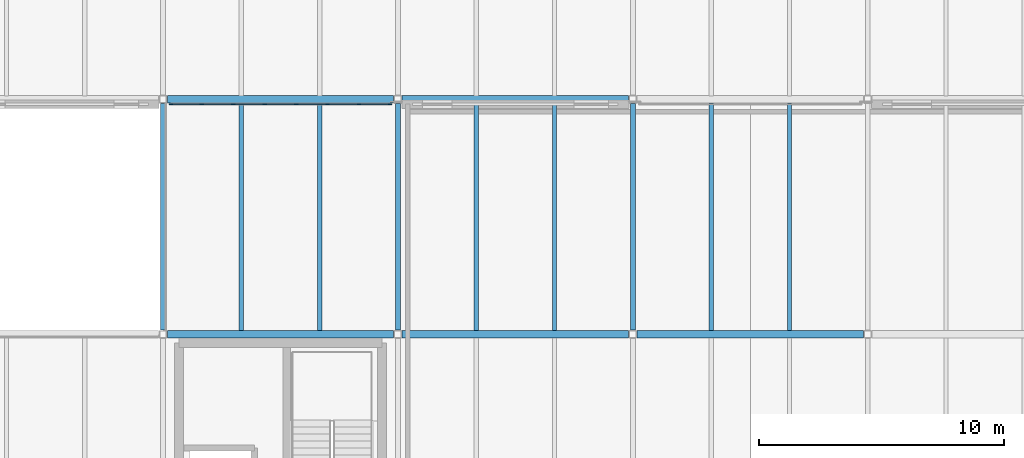
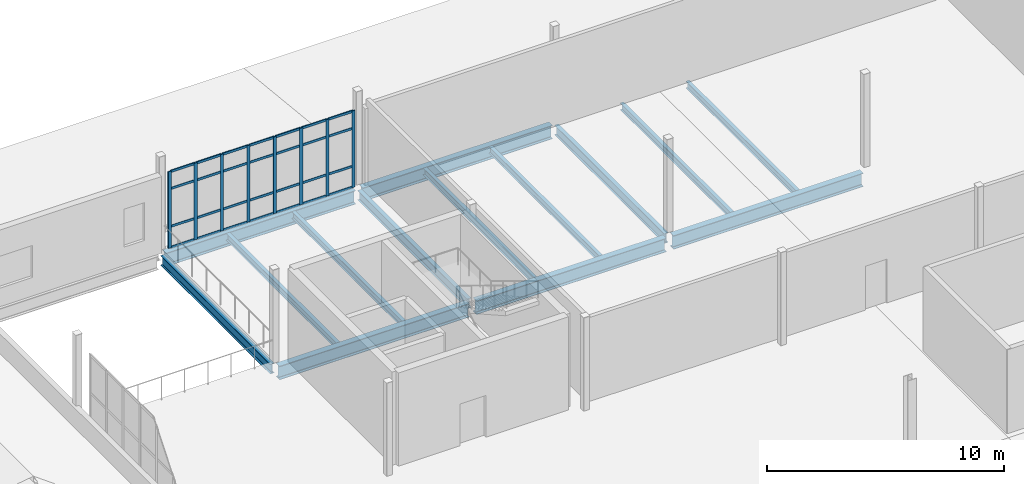
# One storey, part 50 of 112: 36 members, 14 beams, 1 element without a shape of its own.
"""IFC4 building model written with IfcOpenShell, lengths in metres."""

from ifc_helpers import new_model, si_unit, direction, frame, origin, origin_2d, place, context, subcontext, project, spatial, rectangle, i_section, extrude, material, layer, layer_set, material_profile, profile_set, type_object, element, aggregate, save


model = new_model("IFC4")

# Units and contexts
model_context = context("Model", 3, precision=1e-05, world=origin(), true_north=direction((0.0, 1.0)))
body_context = subcontext(model_context, "Body", "Model", "MODEL_VIEW")
ifc_project = project(units=[si_unit("LENGTHUNIT", "METRE"), si_unit("AREAUNIT", "SQUARE_METRE"), si_unit("VOLUMEUNIT", "CUBIC_METRE"), si_unit("PLANEANGLEUNIT", "RADIAN"), si_unit("MASSUNIT", "GRAM", prefix="KILO")], contexts=[model_context])

# Site, building, storey
site_placement = place(None, origin())
site = spatial("IfcSite", under=ifc_project, at=site_placement, CompositionType="ELEMENT")
building_placement = place(site_placement, origin())
building = spatial("IfcBuilding", under=site, at=building_placement, Name="Yeouljin Market Hall", CompositionType="ELEMENT")
storey_placement = place(building_placement, frame((0.0, 0.0, 6.0)))
storey = spatial("IfcBuildingStorey", under=building, at=storey_placement, Name="L01", CompositionType="ELEMENT", Elevation=6.0)

# Beams
ifc_material_1 = material(Name="Steel SM355", Category="steel")
ifc_material_profile_1 = material_profile(ifc_material_1, i_section(OverallWidth=0.199951171875, OverallDepth=0.5, WebThickness=0.010009765625, FlangeThickness=0.01611328125, FilletRadius=0.02001953125, at=origin_2d()), Name="H-500x200x10x16")
ifc_profile_set_1 = profile_set([ifc_material_profile_1], Name="Steel SM355")
beam_type_1 = type_object("IfcBeamType", Name="Beam_H-500x200x10x16", PredefinedType="BEAM", material=ifc_profile_set_1)
for number, where, z_axis, x_axis, name in (
    (1, (64.199951171875, 98.574951171875, -0.510009765625), (0.0, 1.0, 0.0), (-1.0, 0.0, 0.0), "Primary beam BM-L01-Y172"),
    (2, (73.800048828125, 98.574951171875, -0.510009765625), (0.0, 1.0, 0.0), (-1.0, 0.0, 0.0), "Primary beam BM-L01-Y175"),
    (3, (83.39990234375, 98.574951171875, -0.510009765625), (0.0, 1.0, 0.0), (-1.0, 0.0, 0.0), "Primary beam BM-L01-Y180"),
):
    element("IfcBeam", number, at=place(storey_placement, frame(where, z_axis=z_axis, x_axis=x_axis)), inside=storey, type_object=beam_type_1, Name=name, PredefinedType="BEAM", context=body_context, shape_type="SweptSolid", body=[
        extrude(i_section(OverallWidth=0.199951171875, OverallDepth=0.5, WebThickness=0.010009765625, FlangeThickness=0.01611328125, FilletRadius=0.02001953125, at=origin_2d()), origin(), (0.0, 0.0, 1.0), 9.25),
    ])

# Curtain wall, members
ifc_material_2 = material(Name="Thermally Broken Aluminium", Category="aluminium")
ifc_layer = layer(ifc_material_2, 0.14990234375)
ifc_layer_set = layer_set([ifc_layer], Name="Thermally Broken Aluminium")
curtain_wall_type = type_object("IfcCurtainWallType", Name="CW_AcademyRibbon_System", PredefinedType="USERDEFINED", material=ifc_layer_set)
curtain_wall_placement = place(storey_placement, origin())
curtain_wall = element("IfcCurtainWall", 4, at=curtain_wall_placement, inside=storey, type_object=curtain_wall_type, Name="Curtain wall CW-L01-W18", ObjectType="CURTAIN WALL", PredefinedType="USERDEFINED")
ifc_material_3 = material(Name="Thermally Broken Aluminium", Category="aluminium")
ifc_material_profile_2 = material_profile(ifc_material_3, rectangle(XDim=0.048095703125, YDim=0.14990234375, at=origin_2d()), Name="CW-MULL-48x150")
ifc_profile_set_2 = profile_set([ifc_material_profile_2], Name="Thermally Broken Aluminium")
member_type_1 = type_object("IfcMemberType", Name="CWMullion_48x150", PredefinedType="MULLION", material=ifc_profile_set_2)
member_1_placement = place(storey_placement, frame((64.52392578125, 107.800048828125, 0.0), z_axis=(0.0, 0.0, 1.0), x_axis=(0.0, 1.0, 0.0)))
member_1 = element("IfcMember", 5, at=member_1_placement, type_object=member_type_1, Name="CW-05 mullion 1", PredefinedType="MULLION", context=body_context, shape_type="SweptSolid", body=[
    extrude(rectangle(XDim=0.048095703125, YDim=0.14990234375, at=origin_2d()), origin(), (0.0, 0.0, 1.0), 3.949951171875),
])
member_2_placement = place(storey_placement, frame((65.78564453125, 107.800048828125, 0.0), z_axis=(0.0, 0.0, 1.0), x_axis=(0.0, 1.0, 0.0)))
member_2 = element("IfcMember", 6, at=member_2_placement, type_object=member_type_1, Name="CW-05 mullion 2", PredefinedType="MULLION", context=body_context, shape_type="SweptSolid", body=[
    extrude(rectangle(XDim=0.048095703125, YDim=0.14990234375, at=origin_2d()), origin(), (0.0, 0.0, 1.0), 3.949951171875),
])
member_3_placement = place(storey_placement, frame((67.071533203125, 107.800048828125, 0.0), z_axis=(0.0, 0.0, 1.0), x_axis=(0.0, 1.0, 0.0)))
member_3 = element("IfcMember", 7, at=member_3_placement, type_object=member_type_1, Name="CW-05 mullion 3", PredefinedType="MULLION", context=body_context, shape_type="SweptSolid", body=[
    extrude(rectangle(XDim=0.048095703125, YDim=0.14990234375, at=origin_2d()), origin(), (0.0, 0.0, 1.0), 3.949951171875),
])
member_4_placement = place(storey_placement, frame((68.357177734375, 107.800048828125, 0.0), z_axis=(0.0, 0.0, 1.0), x_axis=(0.0, 1.0, 0.0)))
member_4 = element("IfcMember", 8, at=member_4_placement, type_object=member_type_1, Name="CW-05 mullion 4", PredefinedType="MULLION", context=body_context, shape_type="SweptSolid", body=[
    extrude(rectangle(XDim=0.048095703125, YDim=0.14990234375, at=origin_2d()), origin(), (0.0, 0.0, 1.0), 3.949951171875),
])
member_5_placement = place(storey_placement, frame((69.642822265625, 107.800048828125, 0.0), z_axis=(0.0, 0.0, 1.0), x_axis=(0.0, 1.0, 0.0)))
member_5 = element("IfcMember", 9, at=member_5_placement, type_object=member_type_1, Name="CW-05 mullion 5", PredefinedType="MULLION", context=body_context, shape_type="SweptSolid", body=[
    extrude(rectangle(XDim=0.048095703125, YDim=0.14990234375, at=origin_2d()), origin(), (0.0, 0.0, 1.0), 3.949951171875),
])
member_6_placement = place(storey_placement, frame((70.928466796875, 107.800048828125, 0.0), z_axis=(0.0, 0.0, 1.0), x_axis=(0.0, 1.0, 0.0)))
member_6 = element("IfcMember", 10, at=member_6_placement, type_object=member_type_1, Name="CW-05 mullion 6", PredefinedType="MULLION", context=body_context, shape_type="SweptSolid", body=[
    extrude(rectangle(XDim=0.048095703125, YDim=0.14990234375, at=origin_2d()), origin(), (0.0, 0.0, 1.0), 3.949951171875),
])
member_7_placement = place(storey_placement, frame((72.21435546875, 107.800048828125, 0.0), z_axis=(0.0, 0.0, 1.0), x_axis=(0.0, 1.0, 0.0)))
member_7 = element("IfcMember", 11, at=member_7_placement, type_object=member_type_1, Name="CW-05 mullion 7", PredefinedType="MULLION", context=body_context, shape_type="SweptSolid", body=[
    extrude(rectangle(XDim=0.048095703125, YDim=0.14990234375, at=origin_2d()), origin(), (0.0, 0.0, 1.0), 3.949951171875),
])
member_8_placement = place(storey_placement, frame((73.47607421875, 107.800048828125, 0.0), z_axis=(0.0, 0.0, 1.0), x_axis=(0.0, 1.0, 0.0)))
member_8 = element("IfcMember", 12, at=member_8_placement, type_object=member_type_1, Name="CW-05 mullion 8", PredefinedType="MULLION", context=body_context, shape_type="SweptSolid", body=[
    extrude(rectangle(XDim=0.048095703125, YDim=0.14990234375, at=origin_2d()), origin(), (0.0, 0.0, 1.0), 3.949951171875),
])
ifc_material_4 = material(Name="Thermally Broken Aluminium", Category="aluminium")
ifc_material_profile_3 = material_profile(ifc_material_4, rectangle(XDim=0.048095703125, YDim=0.1201171875, at=origin_2d()), Name="CW-TRAN-48x120")
ifc_profile_set_3 = profile_set([ifc_material_profile_3], Name="Thermally Broken Aluminium")
member_type_2 = type_object("IfcMemberType", Name="CWTransom_48x120", PredefinedType="USERDEFINED", material=ifc_profile_set_3)
member_9_placement = place(storey_placement, frame((64.548095703125, 107.800048828125, 0.02392578125), z_axis=(1.0, 0.0, 0.0), x_axis=(0.0, 1.0, 0.0)))
member_9 = element("IfcMember", 13, at=member_9_placement, type_object=member_type_2, Name="CW-05 transom 1.1", ObjectType="TRANSOM", PredefinedType="USERDEFINED", context=body_context, shape_type="SweptSolid", body=[
    extrude(rectangle(XDim=0.048095703125, YDim=0.1201171875, at=origin_2d()), origin(), (0.0, 0.0, 1.0), 1.213623046875),
])
member_10_placement = place(storey_placement, frame((64.548095703125, 107.800048828125, 1.10009765625), z_axis=(1.0, 0.0, 0.0), x_axis=(0.0, 1.0, 0.0)))
member_10 = element("IfcMember", 14, at=member_10_placement, type_object=member_type_2, Name="CW-05 transom 1.2", ObjectType="TRANSOM", PredefinedType="USERDEFINED", context=body_context, shape_type="SweptSolid", body=[
    extrude(rectangle(XDim=0.048095703125, YDim=0.1201171875, at=origin_2d()), origin(), (0.0, 0.0, 1.0), 1.213623046875),
])
member_11_placement = place(storey_placement, frame((64.548095703125, 107.800048828125, 3.050048828125), z_axis=(1.0, 0.0, 0.0), x_axis=(0.0, 1.0, 0.0)))
member_11 = element("IfcMember", 15, at=member_11_placement, type_object=member_type_2, Name="CW-05 transom 1.3", ObjectType="TRANSOM", PredefinedType="USERDEFINED", context=body_context, shape_type="SweptSolid", body=[
    extrude(rectangle(XDim=0.048095703125, YDim=0.1201171875, at=origin_2d()), origin(), (0.0, 0.0, 1.0), 1.213623046875),
])
member_12_placement = place(storey_placement, frame((64.548095703125, 107.800048828125, 3.926025390625), z_axis=(1.0, 0.0, 0.0), x_axis=(0.0, 1.0, 0.0)))
member_12 = element("IfcMember", 16, at=member_12_placement, type_object=member_type_2, Name="CW-05 transom 1.4", ObjectType="TRANSOM", PredefinedType="USERDEFINED", context=body_context, shape_type="SweptSolid", body=[
    extrude(rectangle(XDim=0.048095703125, YDim=0.1201171875, at=origin_2d()), origin(), (0.0, 0.0, 1.0), 1.213623046875),
])
member_13_placement = place(storey_placement, frame((65.809814453125, 107.800048828125, 0.02392578125), z_axis=(1.0, 0.0, 0.0), x_axis=(0.0, 1.0, 0.0)))
member_13 = element("IfcMember", 17, at=member_13_placement, type_object=member_type_2, Name="CW-05 transom 2.1", ObjectType="TRANSOM", PredefinedType="USERDEFINED", context=body_context, shape_type="SweptSolid", body=[
    extrude(rectangle(XDim=0.048095703125, YDim=0.1201171875, at=origin_2d()), origin(), (0.0, 0.0, 1.0), 1.237548828125),
])
member_14_placement = place(storey_placement, frame((65.809814453125, 107.800048828125, 1.10009765625), z_axis=(1.0, 0.0, 0.0), x_axis=(0.0, 1.0, 0.0)))
member_14 = element("IfcMember", 18, at=member_14_placement, type_object=member_type_2, Name="CW-05 transom 2.2", ObjectType="TRANSOM", PredefinedType="USERDEFINED", context=body_context, shape_type="SweptSolid", body=[
    extrude(rectangle(XDim=0.048095703125, YDim=0.1201171875, at=origin_2d()), origin(), (0.0, 0.0, 1.0), 1.237548828125),
])
member_15_placement = place(storey_placement, frame((65.809814453125, 107.800048828125, 3.050048828125), z_axis=(1.0, 0.0, 0.0), x_axis=(0.0, 1.0, 0.0)))
member_15 = element("IfcMember", 19, at=member_15_placement, type_object=member_type_2, Name="CW-05 transom 2.3", ObjectType="TRANSOM", PredefinedType="USERDEFINED", context=body_context, shape_type="SweptSolid", body=[
    extrude(rectangle(XDim=0.048095703125, YDim=0.1201171875, at=origin_2d()), origin(), (0.0, 0.0, 1.0), 1.237548828125),
])
member_16_placement = place(storey_placement, frame((65.809814453125, 107.800048828125, 3.926025390625), z_axis=(1.0, 0.0, 0.0), x_axis=(0.0, 1.0, 0.0)))
member_16 = element("IfcMember", 20, at=member_16_placement, type_object=member_type_2, Name="CW-05 transom 2.4", ObjectType="TRANSOM", PredefinedType="USERDEFINED", context=body_context, shape_type="SweptSolid", body=[
    extrude(rectangle(XDim=0.048095703125, YDim=0.1201171875, at=origin_2d()), origin(), (0.0, 0.0, 1.0), 1.237548828125),
])
member_17_placement = place(storey_placement, frame((67.095458984375, 107.800048828125, 0.02392578125), z_axis=(1.0, 0.0, 0.0), x_axis=(0.0, 1.0, 0.0)))
member_17 = element("IfcMember", 21, at=member_17_placement, type_object=member_type_2, Name="CW-05 transom 3.1", ObjectType="TRANSOM", PredefinedType="USERDEFINED", context=body_context, shape_type="SweptSolid", body=[
    extrude(rectangle(XDim=0.048095703125, YDim=0.1201171875, at=origin_2d()), origin(), (0.0, 0.0, 1.0), 1.23779296875),
])
member_18_placement = place(storey_placement, frame((67.095458984375, 107.800048828125, 1.10009765625), z_axis=(1.0, 0.0, 0.0), x_axis=(0.0, 1.0, 0.0)))
member_18 = element("IfcMember", 22, at=member_18_placement, type_object=member_type_2, Name="CW-05 transom 3.2", ObjectType="TRANSOM", PredefinedType="USERDEFINED", context=body_context, shape_type="SweptSolid", body=[
    extrude(rectangle(XDim=0.048095703125, YDim=0.1201171875, at=origin_2d()), origin(), (0.0, 0.0, 1.0), 1.23779296875),
])
member_19_placement = place(storey_placement, frame((67.095458984375, 107.800048828125, 3.050048828125), z_axis=(1.0, 0.0, 0.0), x_axis=(0.0, 1.0, 0.0)))
member_19 = element("IfcMember", 23, at=member_19_placement, type_object=member_type_2, Name="CW-05 transom 3.3", ObjectType="TRANSOM", PredefinedType="USERDEFINED", context=body_context, shape_type="SweptSolid", body=[
    extrude(rectangle(XDim=0.048095703125, YDim=0.1201171875, at=origin_2d()), origin(), (0.0, 0.0, 1.0), 1.23779296875),
])
member_20_placement = place(storey_placement, frame((67.095458984375, 107.800048828125, 3.926025390625), z_axis=(1.0, 0.0, 0.0), x_axis=(0.0, 1.0, 0.0)))
member_20 = element("IfcMember", 24, at=member_20_placement, type_object=member_type_2, Name="CW-05 transom 3.4", ObjectType="TRANSOM", PredefinedType="USERDEFINED", context=body_context, shape_type="SweptSolid", body=[
    extrude(rectangle(XDim=0.048095703125, YDim=0.1201171875, at=origin_2d()), origin(), (0.0, 0.0, 1.0), 1.23779296875),
])
member_21_placement = place(storey_placement, frame((68.381103515625, 107.800048828125, 0.02392578125), z_axis=(1.0, 0.0, 0.0), x_axis=(0.0, 1.0, 0.0)))
member_21 = element("IfcMember", 25, at=member_21_placement, type_object=member_type_2, Name="CW-05 transom 4.1", ObjectType="TRANSOM", PredefinedType="USERDEFINED", context=body_context, shape_type="SweptSolid", body=[
    extrude(rectangle(XDim=0.048095703125, YDim=0.1201171875, at=origin_2d()), origin(), (0.0, 0.0, 1.0), 1.23779296875),
])
member_22_placement = place(storey_placement, frame((68.381103515625, 107.800048828125, 1.10009765625), z_axis=(1.0, 0.0, 0.0), x_axis=(0.0, 1.0, 0.0)))
member_22 = element("IfcMember", 26, at=member_22_placement, type_object=member_type_2, Name="CW-05 transom 4.2", ObjectType="TRANSOM", PredefinedType="USERDEFINED", context=body_context, shape_type="SweptSolid", body=[
    extrude(rectangle(XDim=0.048095703125, YDim=0.1201171875, at=origin_2d()), origin(), (0.0, 0.0, 1.0), 1.23779296875),
])
member_23_placement = place(storey_placement, frame((68.381103515625, 107.800048828125, 3.050048828125), z_axis=(1.0, 0.0, 0.0), x_axis=(0.0, 1.0, 0.0)))
member_23 = element("IfcMember", 27, at=member_23_placement, type_object=member_type_2, Name="CW-05 transom 4.3", ObjectType="TRANSOM", PredefinedType="USERDEFINED", context=body_context, shape_type="SweptSolid", body=[
    extrude(rectangle(XDim=0.048095703125, YDim=0.1201171875, at=origin_2d()), origin(), (0.0, 0.0, 1.0), 1.23779296875),
])
member_24_placement = place(storey_placement, frame((68.381103515625, 107.800048828125, 3.926025390625), z_axis=(1.0, 0.0, 0.0), x_axis=(0.0, 1.0, 0.0)))
member_24 = element("IfcMember", 28, at=member_24_placement, type_object=member_type_2, Name="CW-05 transom 4.4", ObjectType="TRANSOM", PredefinedType="USERDEFINED", context=body_context, shape_type="SweptSolid", body=[
    extrude(rectangle(XDim=0.048095703125, YDim=0.1201171875, at=origin_2d()), origin(), (0.0, 0.0, 1.0), 1.23779296875),
])
member_25_placement = place(storey_placement, frame((69.666748046875, 107.800048828125, 0.02392578125), z_axis=(1.0, 0.0, 0.0), x_axis=(0.0, 1.0, 0.0)))
member_25 = element("IfcMember", 29, at=member_25_placement, type_object=member_type_2, Name="CW-05 transom 5.1", ObjectType="TRANSOM", PredefinedType="USERDEFINED", context=body_context, shape_type="SweptSolid", body=[
    extrude(rectangle(XDim=0.048095703125, YDim=0.1201171875, at=origin_2d()), origin(), (0.0, 0.0, 1.0), 1.23779296875),
])
member_26_placement = place(storey_placement, frame((69.666748046875, 107.800048828125, 1.10009765625), z_axis=(1.0, 0.0, 0.0), x_axis=(0.0, 1.0, 0.0)))
member_26 = element("IfcMember", 30, at=member_26_placement, type_object=member_type_2, Name="CW-05 transom 5.2", ObjectType="TRANSOM", PredefinedType="USERDEFINED", context=body_context, shape_type="SweptSolid", body=[
    extrude(rectangle(XDim=0.048095703125, YDim=0.1201171875, at=origin_2d()), origin(), (0.0, 0.0, 1.0), 1.23779296875),
])
member_27_placement = place(storey_placement, frame((69.666748046875, 107.800048828125, 3.050048828125), z_axis=(1.0, 0.0, 0.0), x_axis=(0.0, 1.0, 0.0)))
member_27 = element("IfcMember", 31, at=member_27_placement, type_object=member_type_2, Name="CW-05 transom 5.3", ObjectType="TRANSOM", PredefinedType="USERDEFINED", context=body_context, shape_type="SweptSolid", body=[
    extrude(rectangle(XDim=0.048095703125, YDim=0.1201171875, at=origin_2d()), origin(), (0.0, 0.0, 1.0), 1.23779296875),
])
member_28_placement = place(storey_placement, frame((69.666748046875, 107.800048828125, 3.926025390625), z_axis=(1.0, 0.0, 0.0), x_axis=(0.0, 1.0, 0.0)))
member_28 = element("IfcMember", 32, at=member_28_placement, type_object=member_type_2, Name="CW-05 transom 5.4", ObjectType="TRANSOM", PredefinedType="USERDEFINED", context=body_context, shape_type="SweptSolid", body=[
    extrude(rectangle(XDim=0.048095703125, YDim=0.1201171875, at=origin_2d()), origin(), (0.0, 0.0, 1.0), 1.23779296875),
])
member_29_placement = place(storey_placement, frame((70.95263671875, 107.800048828125, 0.02392578125), z_axis=(1.0, 0.0, 0.0), x_axis=(0.0, 1.0, 0.0)))
member_29 = element("IfcMember", 33, at=member_29_placement, type_object=member_type_2, Name="CW-05 transom 6.1", ObjectType="TRANSOM", PredefinedType="USERDEFINED", context=body_context, shape_type="SweptSolid", body=[
    extrude(rectangle(XDim=0.048095703125, YDim=0.1201171875, at=origin_2d()), origin(), (0.0, 0.0, 1.0), 1.237548828125),
])
member_30_placement = place(storey_placement, frame((70.95263671875, 107.800048828125, 1.10009765625), z_axis=(1.0, 0.0, 0.0), x_axis=(0.0, 1.0, 0.0)))
member_30 = element("IfcMember", 34, at=member_30_placement, type_object=member_type_2, Name="CW-05 transom 6.2", ObjectType="TRANSOM", PredefinedType="USERDEFINED", context=body_context, shape_type="SweptSolid", body=[
    extrude(rectangle(XDim=0.048095703125, YDim=0.1201171875, at=origin_2d()), origin(), (0.0, 0.0, 1.0), 1.237548828125),
])
member_31_placement = place(storey_placement, frame((70.95263671875, 107.800048828125, 3.050048828125), z_axis=(1.0, 0.0, 0.0), x_axis=(0.0, 1.0, 0.0)))
member_31 = element("IfcMember", 35, at=member_31_placement, type_object=member_type_2, Name="CW-05 transom 6.3", ObjectType="TRANSOM", PredefinedType="USERDEFINED", context=body_context, shape_type="SweptSolid", body=[
    extrude(rectangle(XDim=0.048095703125, YDim=0.1201171875, at=origin_2d()), origin(), (0.0, 0.0, 1.0), 1.237548828125),
])
member_32_placement = place(storey_placement, frame((70.95263671875, 107.800048828125, 3.926025390625), z_axis=(1.0, 0.0, 0.0), x_axis=(0.0, 1.0, 0.0)))
member_32 = element("IfcMember", 36, at=member_32_placement, type_object=member_type_2, Name="CW-05 transom 6.4", ObjectType="TRANSOM", PredefinedType="USERDEFINED", context=body_context, shape_type="SweptSolid", body=[
    extrude(rectangle(XDim=0.048095703125, YDim=0.1201171875, at=origin_2d()), origin(), (0.0, 0.0, 1.0), 1.237548828125),
])
member_33_placement = place(storey_placement, frame((72.23828125, 107.800048828125, 0.02392578125), z_axis=(1.0, 0.0, 0.0), x_axis=(0.0, 1.0, 0.0)))
member_33 = element("IfcMember", 37, at=member_33_placement, type_object=member_type_2, Name="CW-05 transom 7.1", ObjectType="TRANSOM", PredefinedType="USERDEFINED", context=body_context, shape_type="SweptSolid", body=[
    extrude(rectangle(XDim=0.048095703125, YDim=0.1201171875, at=origin_2d()), origin(), (0.0, 0.0, 1.0), 1.213623046875),
])
member_34_placement = place(storey_placement, frame((72.23828125, 107.800048828125, 1.10009765625), z_axis=(1.0, 0.0, 0.0), x_axis=(0.0, 1.0, 0.0)))
member_34 = element("IfcMember", 38, at=member_34_placement, type_object=member_type_2, Name="CW-05 transom 7.2", ObjectType="TRANSOM", PredefinedType="USERDEFINED", context=body_context, shape_type="SweptSolid", body=[
    extrude(rectangle(XDim=0.048095703125, YDim=0.1201171875, at=origin_2d()), origin(), (0.0, 0.0, 1.0), 1.213623046875),
])
member_35_placement = place(storey_placement, frame((72.23828125, 107.800048828125, 3.050048828125), z_axis=(1.0, 0.0, 0.0), x_axis=(0.0, 1.0, 0.0)))
member_35 = element("IfcMember", 39, at=member_35_placement, type_object=member_type_2, Name="CW-05 transom 7.3", ObjectType="TRANSOM", PredefinedType="USERDEFINED", context=body_context, shape_type="SweptSolid", body=[
    extrude(rectangle(XDim=0.048095703125, YDim=0.1201171875, at=origin_2d()), origin(), (0.0, 0.0, 1.0), 1.213623046875),
])
member_36_placement = place(storey_placement, frame((72.23828125, 107.800048828125, 3.926025390625), z_axis=(1.0, 0.0, 0.0), x_axis=(0.0, 1.0, 0.0)))
member_36 = element("IfcMember", 40, at=member_36_placement, type_object=member_type_2, Name="CW-05 transom 7.4", ObjectType="TRANSOM", PredefinedType="USERDEFINED", context=body_context, shape_type="SweptSolid", body=[
    extrude(rectangle(XDim=0.048095703125, YDim=0.1201171875, at=origin_2d()), origin(), (0.0, 0.0, 1.0), 1.213623046875),
])
aggregate(curtain_wall, [member_1, member_2, member_3, member_4, member_5, member_6, member_7, member_8, member_9, member_10, member_11, member_12, member_13, member_14, member_15, member_16, member_17, member_18, member_19, member_20, member_21, member_22, member_23, member_24, member_25, member_26, member_27, member_28, member_29, member_30, member_31, member_32, member_33, member_34, member_35, member_36])

# Beams
ifc_material_5 = material(Name="Steel SM355", Category="steel")
ifc_material_profile_4 = material_profile(ifc_material_5, i_section(OverallWidth=0.300048828125, OverallDepth=0.699951171875, WebThickness=0.012939453125, FlangeThickness=0.02392578125, FilletRadius=0.02587890625, at=origin_2d()), Name="H-700x300x13x24")
ifc_profile_set_4 = profile_set([ifc_material_profile_4], Name="Steel SM355")
beam_type_2 = type_object("IfcBeamType", Name="Girder_H-700x300x13x24", PredefinedType="USERDEFINED", material=ifc_profile_set_4)
for number, where, z_axis, x_axis, name in (
    (41, (64.375, 98.39990234375, -0.610107421875), (1.0, 0.0, 0.0), (0.0, 1.0, 0.0), "Primary girder GRD-L01-X108"),
    (42, (73.97509765625, 98.39990234375, -0.610107421875), (1.0, 0.0, 0.0), (0.0, 1.0, 0.0), "Primary girder GRD-L01-X109"),
    (43, (83.574951171875, 98.39990234375, -0.610107421875), (1.0, 0.0, 0.0), (0.0, 1.0, 0.0), "Primary girder GRD-L01-X110"),
    (44, (64.375, 108.0, -0.610107421875), (1.0, 0.0, 0.0), (0.0, 1.0, 0.0), "Primary girder GRD-L01-X116"),
    (45, (73.97509765625, 108.0, -0.610107421875), (1.0, 0.0, 0.0), (0.0, 1.0, 0.0), "Primary girder GRD-L01-X117"),
):
    element("IfcBeam", number, at=place(storey_placement, frame(where, z_axis=z_axis, x_axis=x_axis)), inside=storey, type_object=beam_type_2, Name=name, ObjectType="GIRDER", PredefinedType="USERDEFINED", context=body_context, shape_type="SweptSolid", body=[
        extrude(i_section(OverallWidth=0.300048828125, OverallDepth=0.699951171875, WebThickness=0.012939453125, FlangeThickness=0.02392578125, FilletRadius=0.02587890625, at=origin_2d()), origin(), (0.0, 0.0, 1.0), 9.25),
    ])
ifc_material_6 = material(Name="Steel SM355", Category="steel")
ifc_material_profile_5 = material_profile(ifc_material_6, i_section(OverallWidth=0.175048828125, OverallDepth=0.35009765625, WebThickness=0.007080078125, FlangeThickness=0.010986328125, FilletRadius=0.013916015625, at=origin_2d()), Name="H-350x175x7x11")
ifc_profile_set_5 = profile_set([ifc_material_profile_5], Name="Steel SM355")
beam_type_3 = type_object("IfcBeamType", Name="Joist_H-350x175x7x11", PredefinedType="JOIST", material=ifc_profile_set_5)
for number, where, z_axis, x_axis, name in (
    (46, (67.39990234375, 98.547119140625, -0.43505859375), (0.0, 1.0, 0.0), (-1.0, 0.0, 0.0), "Secondary floor joist L01-050"),
    (47, (70.60009765625, 98.547119140625, -0.43505859375), (0.0, 1.0, 0.0), (-1.0, 0.0, 0.0), "Secondary floor joist L01-051"),
    (48, (77.0, 98.547119140625, -0.43505859375), (0.0, 1.0, 0.0), (-1.0, 0.0, 0.0), "Secondary floor joist L01-056"),
    (49, (80.199951171875, 98.547119140625, -0.43505859375), (0.0, 1.0, 0.0), (-1.0, 0.0, 0.0), "Secondary floor joist L01-057"),
    (50, (86.60009765625, 98.547119140625, -0.43505859375), (0.0, 1.0, 0.0), (-1.0, 0.0, 0.0), "Secondary floor joist L01-062"),
    (51, (89.800048828125, 98.547119140625, -0.43505859375), (0.0, 1.0, 0.0), (-1.0, 0.0, 0.0), "Secondary floor joist L01-063"),
):
    element("IfcBeam", number, at=place(storey_placement, frame(where, z_axis=z_axis, x_axis=x_axis)), inside=storey, type_object=beam_type_3, Name=name, PredefinedType="JOIST", context=body_context, shape_type="SweptSolid", body=[
        extrude(i_section(OverallWidth=0.175048828125, OverallDepth=0.35009765625, WebThickness=0.007080078125, FlangeThickness=0.010986328125, FilletRadius=0.013916015625, at=origin_2d()), origin(), (0.0, 0.0, 1.0), 9.305908203125),
    ])

save(model, "model.ifc")
